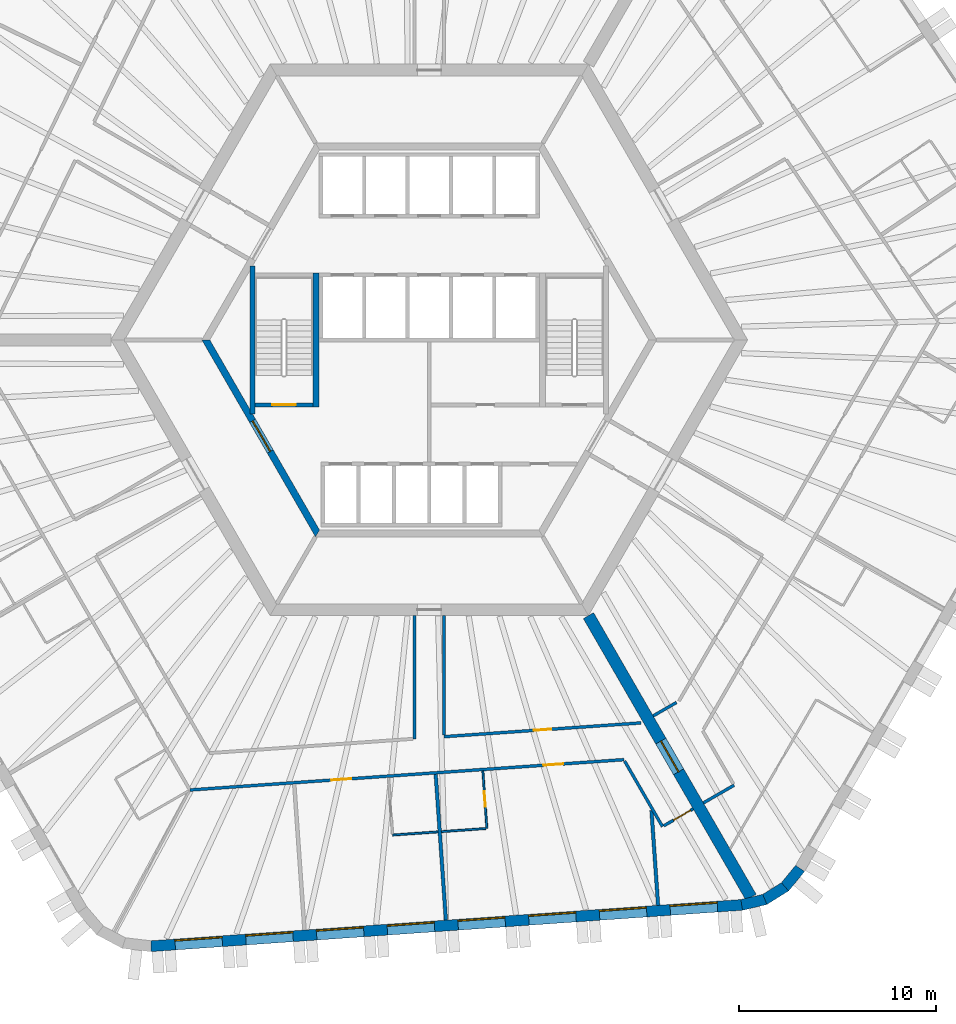
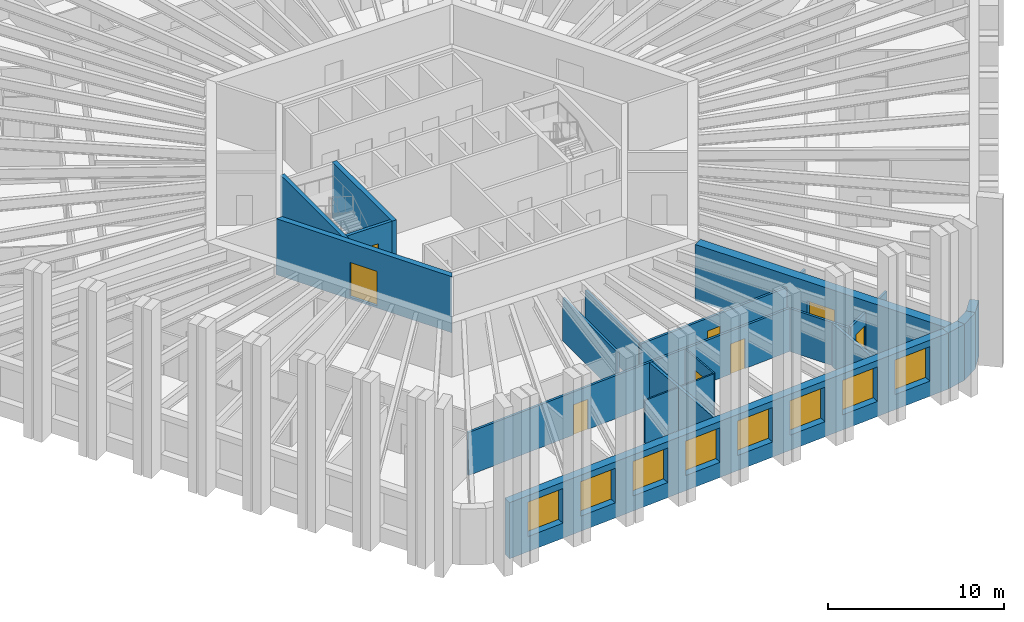
# One storey, part 4 of 13: 22 walls, 8 doors, 8 windows, 16 openings.
"""IFC4 building model written with IfcOpenShell, lengths in metres."""

from ifc_helpers import new_model, si_unit, direction, frame, frame_2d, origin, place, context, subcontext, project, spatial, polyline, rectangle, outline, extrude, material, layer, layer_set, type_object, element, fill, save


model = new_model("IFC4")

# Units and contexts
model_context = context("Model", 3, precision=1e-05, world=origin(), true_north=direction((0.0, 1.0)))
body_context = subcontext(model_context, "Body", "Model", "MODEL_VIEW")
ifc_project = project(units=[si_unit("LENGTHUNIT", "METRE"), si_unit("AREAUNIT", "SQUARE_METRE"), si_unit("VOLUMEUNIT", "CUBIC_METRE"), si_unit("PLANEANGLEUNIT", "RADIAN"), si_unit("MASSUNIT", "GRAM", prefix="KILO")], contexts=[model_context])

# Site, building, storey
site_placement = place(None, origin())
site = spatial("IfcSite", under=ifc_project, at=site_placement, CompositionType="ELEMENT")
building_placement = place(site_placement, origin())
building = spatial("IfcBuilding", under=site, at=building_placement, Name="Tarnside Tower", CompositionType="ELEMENT")
storey_placement = place(building_placement, frame((0.0, 0.0, 68.699951171875)))
storey = spatial("IfcBuildingStorey", under=building, at=storey_placement, Name="L14", CompositionType="ELEMENT", Elevation=68.699951171875)

# Wall
ifc_material_1 = material(Name="Gypsum board partition on steel studs", Category="steel")
ifc_layer_1 = layer(ifc_material_1, 0.10009765625)
ifc_layer_set_1 = layer_set([ifc_layer_1], Name="Bathroom wall 100")
wall_type_1 = type_object("IfcWallType", Name="Bathroom wall 100", PredefinedType="PARTITIONING", material=ifc_layer_set_1)
wall_1_placement = place(storey_placement, frame((0.4423828125, -24.97998046875, 0.0), z_axis=(0.0, 0.0, 1.0), x_axis=(-0.997563824095, -0.069759707979, 0.0)))
element("IfcWall", 1, at=wall_1_placement, inside=storey, type_object=wall_type_1, Name="Bathroom wall 04120", PredefinedType="PARTITIONING", context=body_context, shape_type="SweptSolid", body=[
    extrude(rectangle(XDim=2.309814453125, YDim=0.10009765625, at=frame_2d((1.15478515625, 0.0))), origin(), (0.0, 0.0, 1.0), 2.98779296875),
])

# Wall, opening, door
wall_2_placement = place(storey_placement, frame((2.722412109375, -21.888427734375, 0.0), z_axis=(0.0, 0.0, 1.0), x_axis=(0.069775971057, -0.997562686683, 0.0)))
wall_2 = element("IfcWall", 2, at=wall_2_placement, inside=storey, type_object=wall_type_1, Name="Bathroom wall 04124", PredefinedType="PARTITIONING", context=body_context, shape_type="SweptSolid", body=[
    extrude(rectangle(XDim=2.925048828125, YDim=0.10009765625, at=frame_2d((1.46240234375, 0.0))), origin(), (0.0, 0.0, 1.0), 2.98779296875),
])
opening_1_placement = place(wall_2_placement, frame((1.02490234375, 0.0, 0.0)))
opening_1 = element("IfcOpeningElement", 3, at=opening_1_placement, cuts=wall_2, Name="Opening D-B1", PredefinedType="OPENING", context=body_context, shape_type="SweptSolid", body=[
    extrude(rectangle(XDim=0.800048828125, YDim=2.10009765625, at=frame_2d((0.39990234375, 1.050048828125))), frame((0.0, 0.06005859375, 0.0), z_axis=(0.0, -1.0, 0.0), x_axis=(1.0, 0.0, 0.0)), (0.0, 0.0, 1.0), 0.1201171875),
])
ifc_material_2 = material(Name="Timber door leaf", Category="wood")
door_type_1 = type_object("IfcDoorType", Name="Bathroom door 800", OperationType="NOTDEFINED", PredefinedType="DOOR", material=ifc_material_2)
door_1_placement = place(opening_1_placement, origin())
door_1 = element("IfcDoor", 4, at=door_1_placement, inside=storey, type_object=door_type_1, Name="Bathroom door 04026", OperationType="SINGLE_SWING_RIGHT", OverallHeight=2.10009765625, OverallWidth=0.800048828125, PredefinedType="DOOR", context=body_context, shape_type="SweptSolid", body=[
    extrude(rectangle(XDim=0.800048828125, YDim=2.10009765625, at=frame_2d((0.39990234375, 1.050048828125))), frame((0.0, 0.02490234375, 0.0), z_axis=(0.0, -1.0, 0.0), x_axis=(1.0, 0.0, 0.0)), (0.0, 0.0, 1.0), 0.050048828125),
])
fill(opening_1, door_1)

# Wall
wall_3_placement = place(storey_placement, frame((2.87646484375, -24.809814453125, 0.0), z_axis=(0.0, 0.0, 1.0), x_axis=(-0.997561825928, -0.069788275888, 0.0)))
element("IfcWall", 5, at=wall_3_placement, inside=storey, type_object=wall_type_1, Name="Bathroom wall 04125", PredefinedType="PARTITIONING", context=body_context, shape_type="SweptSolid", body=[
    extrude(rectangle(XDim=2.260009765625, YDim=0.10009765625, at=frame_2d((1.1298828125, 0.0))), origin(), (0.0, 0.0, 1.0), 2.98779296875),
])

# Wall, opening, door
ifc_material_3 = material(Name="Concrete C50/60", Category="concrete")
ifc_layer_2 = layer(ifc_material_3, 0.35009765625)
ifc_layer_set_2 = layer_set([ifc_layer_2], Name="Core block wall 350 C50/60")
wall_type_2 = type_object("IfcWallType", Name="Core block wall 350 C50/60", PredefinedType="SHEAR", material=ifc_layer_set_2)
wall_4_placement = place(storey_placement, frame((-11.344970703125, 0.0, -0.14990234375), z_axis=(0.0, 0.0, 1.0), x_axis=(0.499995046907, -0.866028263435, 0.0)))
wall_4 = element("IfcWall", 6, at=wall_4_placement, inside=storey, type_object=wall_type_2, Name="L14 core block wall face 3", PredefinedType="SHEAR", context=body_context, shape_type="SweptSolid", body=[
    extrude(outline(polyline([(-0.10107421875, -0.175048828125), (11.44580078125, -0.175048828125), (11.24365234375, 0.175048828125), (0.10107421875, 0.175048828125), (-0.10107421875, -0.175048828125)])), origin(), (0.0, 0.0, 1.0), 3.89990234375),
])
opening_2_placement = place(wall_4_placement, frame((4.74365234375, 0.0, 0.14990234375)))
opening_2 = element("IfcOpeningElement", 7, at=opening_2_placement, cuts=wall_4, Name="Opening CD-FFL", PredefinedType="OPENING", context=body_context, shape_type="SweptSolid", body=[
    extrude(rectangle(XDim=1.800048828125, YDim=2.39990234375, at=frame_2d((0.89990234375, 1.199951171875))), frame((0.0, 0.18505859375, 0.0), z_axis=(0.0, -1.0, 0.0), x_axis=(1.0, 0.0, 0.0)), (0.0, 0.0, 1.0), 0.3701171875),
])
ifc_material_4 = material(Name="Steel fire door", Category="steel")
door_type_2 = type_object("IfcDoorType", Name="Firefighting lobby double door FD60S 1800x2400", OperationType="NOTDEFINED", PredefinedType="DOOR", material=ifc_material_4)
door_2_placement = place(opening_2_placement, origin())
door_2 = element("IfcDoor", 8, at=door_2_placement, inside=storey, type_object=door_type_2, Name="L14 lobby block door P3", OperationType="DOUBLE_DOOR_SINGLE_SWING", OverallHeight=2.39990234375, OverallWidth=1.800048828125, PredefinedType="DOOR", context=body_context, shape_type="SweptSolid", body=[
    extrude(rectangle(XDim=1.800048828125, YDim=2.39990234375, at=frame_2d((0.89990234375, 1.199951171875))), frame((0.0, 0.02490234375, 0.0), z_axis=(0.0, -1.0, 0.0), x_axis=(1.0, 0.0, 0.0)), (0.0, 0.0, 1.0), 0.050048828125),
])
fill(opening_2, door_2)

ifc_material_5 = material(Name="Concrete C80/95", Category="concrete")
ifc_layer_3 = layer(ifc_material_5, 0.60009765625)
ifc_layer_set_3 = layer_set([ifc_layer_3], Name="Core wall Z1 600 C80/95")
wall_type_3 = type_object("IfcWallType", Name="Core wall Z1 600 C80/95", PredefinedType="SHEAR", material=ifc_layer_set_3)
wall_5_placement = place(storey_placement, frame((8.0830078125, -14.0, -0.14990234375), z_axis=(0.0, 0.0, 1.0), x_axis=(0.499997680643, -0.866026742862, 0.0)))
wall_5 = element("IfcWall", 9, at=wall_5_placement, inside=storey, type_object=wall_type_3, Name="L14 spine wall 3", PredefinedType="SHEAR", context=body_context, shape_type="SweptSolid", body=[
    extrude(rectangle(XDim=16.5087890625, YDim=0.60009765625, at=frame_2d((8.25439453125, 0.0))), origin(), (0.0, 0.0, 1.0), 3.89990234375),
])
opening_3_placement = place(wall_5_placement, frame((7.3544921875, 0.0, 0.14990234375)))
opening_3 = element("IfcOpeningElement", 10, at=opening_3_placement, cuts=wall_5, Name="Opening CD-SPN", PredefinedType="OPENING", context=body_context, shape_type="SweptSolid", body=[
    extrude(rectangle(XDim=1.800048828125, YDim=2.39990234375, at=frame_2d((0.89990234375, 1.199951171875))), frame((0.0, 0.31005859375, 0.0), z_axis=(0.0, -1.0, 0.0), x_axis=(1.0, 0.0, 0.0)), (0.0, 0.0, 1.0), 0.6201171875),
])
door_type_3 = type_object("IfcDoorType", Name="Spine passage double door FD60 1800x2400", OperationType="NOTDEFINED", PredefinedType="DOOR", material=ifc_material_4)
door_3_placement = place(opening_3_placement, origin())
door_3 = element("IfcDoor", 11, at=door_3_placement, inside=storey, type_object=door_type_3, Name="L14 spine passage door 3", OperationType="DOUBLE_DOOR_SINGLE_SWING", OverallHeight=2.39990234375, OverallWidth=1.800048828125, PredefinedType="DOOR", context=body_context, shape_type="SweptSolid", body=[
    extrude(rectangle(XDim=1.800048828125, YDim=2.39990234375, at=frame_2d((0.89990234375, 1.199951171875))), frame((0.0, 0.02490234375, 0.0), z_axis=(0.0, -1.0, 0.0), x_axis=(1.0, 0.0, 0.0)), (0.0, 0.0, 1.0), 0.050048828125),
])
fill(opening_3, door_3)

# Wall, openings, doors
ifc_layer_4 = layer(ifc_material_1, 0.14990234375)
ifc_layer_set_4 = layer_set([ifc_layer_4], Name="Corridor wall 150 EI 60")
wall_type_4 = type_object("IfcWallType", Name="Corridor wall 150 EI 60", PredefinedType="PARTITIONING", material=ifc_layer_set_4)
wall_6_placement = place(storey_placement, frame((-12.1513671875, -22.853271484375, 0.0), z_axis=(0.0, 0.0, 1.0), x_axis=(0.99756425444, 0.069753553767, 0.0)))
wall_6 = element("IfcWall", 12, at=wall_6_placement, inside=storey, type_object=wall_type_4, Name="Corridor wall 04033", PredefinedType="PARTITIONING", context=body_context, shape_type="SweptSolid", body=[
    extrude(rectangle(XDim=22.085205078125, YDim=0.14990234375, at=frame_2d((11.04248046875, 0.0))), origin(), (0.0, 0.0, 1.0), 2.98779296875),
])
opening_4_placement = place(wall_6_placement, frame((7.204833984375, 0.0, 0.0)))
opening_4 = element("IfcOpeningElement", 13, at=opening_4_placement, cuts=wall_6, Name="Opening D-E1", PredefinedType="OPENING", context=body_context, shape_type="SweptSolid", body=[
    extrude(rectangle(XDim=1.0, YDim=2.10009765625, at=frame_2d((0.5, 1.050048828125))), frame((0.0, 0.0849609375, 0.0), z_axis=(0.0, -1.0, 0.0), x_axis=(1.0, 0.0, 0.0)), (0.0, 0.0, 1.0), 0.169921875),
])
opening_5_placement = place(wall_6_placement, frame((17.994873046875, 0.0, 0.0)))
opening_5 = element("IfcOpeningElement", 14, at=opening_5_placement, cuts=wall_6, Name="Opening D-E1", PredefinedType="OPENING", context=body_context, shape_type="SweptSolid", body=[
    extrude(rectangle(XDim=1.0, YDim=2.10009765625, at=frame_2d((0.5, 1.050048828125))), frame((0.0, 0.0849609375, 0.0), z_axis=(0.0, -1.0, 0.0), x_axis=(1.0, 0.0, 0.0)), (0.0, 0.0, 1.0), 0.169921875),
])
door_type_4 = type_object("IfcDoorType", Name="Unit entrance door 1000 FD30S", OperationType="NOTDEFINED", PredefinedType="DOOR", material=ifc_material_2)
door_4_placement = place(opening_4_placement, origin())
door_4 = element("IfcDoor", 15, at=door_4_placement, inside=storey, type_object=door_type_4, Name="Unit door 04023", OperationType="SINGLE_SWING_LEFT", OverallHeight=2.10009765625, OverallWidth=1.0, PredefinedType="DOOR", context=body_context, shape_type="SweptSolid", body=[
    extrude(rectangle(XDim=1.0, YDim=2.10009765625, at=frame_2d((0.5, 1.050048828125))), frame((0.0, 0.02490234375, 0.0), z_axis=(0.0, -1.0, 0.0), x_axis=(1.0, 0.0, 0.0)), (0.0, 0.0, 1.0), 0.050048828125),
])
fill(opening_4, door_4)
door_5_placement = place(opening_5_placement, origin())
door_5 = element("IfcDoor", 16, at=door_5_placement, inside=storey, type_object=door_type_4, Name="Unit door 04025", OperationType="SINGLE_SWING_LEFT", OverallHeight=2.10009765625, OverallWidth=1.0, PredefinedType="DOOR", context=body_context, shape_type="SweptSolid", body=[
    extrude(rectangle(XDim=1.0, YDim=2.10009765625, at=frame_2d((0.5, 1.050048828125))), frame((0.0, 0.02490234375, 0.0), z_axis=(0.0, -1.0, 0.0), x_axis=(1.0, 0.0, 0.0)), (0.0, 0.0, 1.0), 0.050048828125),
])
fill(opening_5, door_5)

# Wall
wall_7_placement = place(storey_placement, frame((9.921630859375, -21.385009765625, 0.0), z_axis=(0.0, 0.0, 1.0), x_axis=(0.500023335103, -0.866011930837, 0.0)))
element("IfcWall", 17, at=wall_7_placement, inside=storey, type_object=wall_type_4, Name="Corridor wall 04037", PredefinedType="PARTITIONING", context=body_context, shape_type="SweptSolid", body=[
    extrude(rectangle(XDim=3.839599609375, YDim=0.14990234375, at=frame_2d((1.919921875, 0.0))), origin(), (0.0, 0.0, 1.0), 2.98779296875),
])

# Wall, opening, door
wall_8_placement = place(storey_placement, frame((11.906494140625, -24.672607421875, 0.0), z_axis=(0.0, 0.0, 1.0), x_axis=(0.866013532718, 0.500020560727, 0.0)))
wall_8 = element("IfcWall", 18, at=wall_8_placement, inside=storey, type_object=wall_type_4, Name="Corridor wall 04040", PredefinedType="PARTITIONING", context=body_context, shape_type="SweptSolid", body=[
    extrude(rectangle(XDim=1.72509765625, YDim=0.14990234375, at=frame_2d((0.862548828125, 0.0))), origin(), (0.0, 0.0, 1.0), 2.98779296875),
])
opening_6_placement = place(wall_8_placement, frame((0.574951171875, 0.0, 0.0)))
opening_6 = element("IfcOpeningElement", 19, at=opening_6_placement, cuts=wall_8, Name="Opening D-E1", PredefinedType="OPENING", context=body_context, shape_type="SweptSolid", body=[
    extrude(rectangle(XDim=1.0, YDim=2.10009765625, at=frame_2d((0.5, 1.050048828125))), frame((0.0, 0.0849609375, 0.0), z_axis=(0.0, -1.0, 0.0), x_axis=(1.0, 0.0, 0.0)), (0.0, 0.0, 1.0), 0.169921875),
])
door_6_placement = place(opening_6_placement, origin())
door_6 = element("IfcDoor", 20, at=door_6_placement, inside=storey, type_object=door_type_4, Name="Unit door 04027", OperationType="SINGLE_SWING_LEFT", OverallHeight=2.10009765625, OverallWidth=1.0, PredefinedType="DOOR", context=body_context, shape_type="SweptSolid", body=[
    extrude(rectangle(XDim=1.0, YDim=2.10009765625, at=frame_2d((0.5, 1.050048828125))), frame((0.0, 0.02490234375, 0.0), z_axis=(0.0, -1.0, 0.0), x_axis=(1.0, 0.0, 0.0)), (0.0, 0.0, 1.0), 0.050048828125),
])
fill(opening_6, door_6)

# Wall
wall_9_placement = place(storey_placement, frame((-0.75, -14.0, 0.0), z_axis=(0.0, 0.0, 1.0), x_axis=(0.0, -1.0, 0.0)))
element("IfcWall", 21, at=wall_9_placement, inside=storey, type_object=wall_type_4, Name="Corridor wall 04044", PredefinedType="PARTITIONING", context=body_context, shape_type="SweptSolid", body=[
    extrude(rectangle(XDim=6.251708984375, YDim=0.14990234375, at=frame_2d((3.1259765625, 0.0))), origin(), (0.0, 0.0, 1.0), 2.98779296875),
])

# Wall, opening, door
wall_10_placement = place(storey_placement, frame((10.75439453125, -19.447265625, 0.0), z_axis=(0.0, 0.0, 1.0), x_axis=(-0.997564830966, -0.069745308232, 0.0)))
wall_10 = element("IfcWall", 22, at=wall_10_placement, inside=storey, type_object=wall_type_4, Name="Corridor wall 04048", PredefinedType="PARTITIONING", context=body_context, shape_type="SweptSolid", body=[
    extrude(rectangle(XDim=10.02880859375, YDim=0.14990234375, at=frame_2d((5.014404296875, 0.0))), origin(), (0.0, 0.0, 1.0), 2.98779296875),
])
opening_7_placement = place(wall_10_placement, frame((4.564453125, 0.0, 0.0)))
opening_7 = element("IfcOpeningElement", 23, at=opening_7_placement, cuts=wall_10, Name="Opening D-S1", PredefinedType="OPENING", context=body_context, shape_type="SweptSolid", body=[
    extrude(rectangle(XDim=0.89990234375, YDim=2.10009765625, at=frame_2d((0.449951171875, 1.050048828125))), frame((0.0, 0.0849609375, 0.0), z_axis=(0.0, -1.0, 0.0), x_axis=(1.0, 0.0, 0.0)), (0.0, 0.0, 1.0), 0.169921875),
])
door_type_5 = type_object("IfcDoorType", Name="Service room door 900 FD30S", OperationType="NOTDEFINED", PredefinedType="DOOR", material=ifc_material_2)
door_7_placement = place(opening_7_placement, origin())
door_7 = element("IfcDoor", 24, at=door_7_placement, inside=storey, type_object=door_type_5, Name="Service door 04046", OperationType="SINGLE_SWING_LEFT", OverallHeight=2.10009765625, OverallWidth=0.89990234375, PredefinedType="DOOR", context=body_context, shape_type="SweptSolid", body=[
    extrude(rectangle(XDim=0.89990234375, YDim=2.10009765625, at=frame_2d((0.449951171875, 1.050048828125))), frame((0.0, 0.02490234375, 0.0), z_axis=(0.0, -1.0, 0.0), x_axis=(1.0, 0.0, 0.0)), (0.0, 0.0, 1.0), 0.050048828125),
])
fill(opening_7, door_7)

# Walls
wall_11_placement = place(storey_placement, frame((0.75, -20.071533203125, 0.0), z_axis=(0.0, 0.0, 1.0), x_axis=(0.0, 1.0, 0.0)))
element("IfcWall", 25, at=wall_11_placement, inside=storey, type_object=wall_type_4, Name="Corridor wall 04049", PredefinedType="PARTITIONING", context=body_context, shape_type="SweptSolid", body=[
    extrude(rectangle(XDim=6.071533203125, YDim=0.14990234375, at=frame_2d((3.03564453125, 0.0))), origin(), (0.0, 0.0, 1.0), 2.98779296875),
])
wall_12_placement = place(storey_placement, frame((13.919921875, -23.510009765625, 0.0), z_axis=(0.0, 0.0, 1.0), x_axis=(0.866047807691, 0.499961193289, 0.0)))
element("IfcWall", 26, at=wall_12_placement, inside=storey, type_object=wall_type_4, Name="Corridor wall 04050", PredefinedType="PARTITIONING", context=body_context, shape_type="SweptSolid", body=[
    extrude(rectangle(XDim=1.800048828125, YDim=0.14990234375, at=frame_2d((0.89990234375, 0.0))), origin(), (0.0, 0.0, 1.0), 2.98779296875),
])
wall_13_placement = place(storey_placement, frame((12.552001953125, -18.409423828125, 0.0), z_axis=(0.0, 0.0, 1.0), x_axis=(-0.866078408764, -0.499908181442, 0.0)))
element("IfcWall", 27, at=wall_13_placement, inside=storey, type_object=wall_type_4, Name="Corridor wall 04073", PredefinedType="PARTITIONING", context=body_context, shape_type="SweptSolid", body=[
    extrude(rectangle(XDim=1.365478515625, YDim=0.14990234375, at=frame_2d((0.6826171875, 0.0))), origin(), (0.0, 0.0, 1.0), 2.98779296875),
])
ifc_layer_5 = layer(ifc_material_1, 0.179931640625)
ifc_layer_set_5 = layer_set([ifc_layer_5], Name="Demising wall 180 EI 60")
wall_type_5 = type_object("IfcWallType", Name="Demising wall 180 EI 60", PredefinedType="PARTITIONING", material=ifc_layer_set_5)
wall_14_placement = place(storey_placement, frame((0.84619140625, -29.462646484375, 0.0), z_axis=(0.0, 0.0, 1.0), x_axis=(-0.069774810252, 0.997562767877, 0.0)))
element("IfcWall", 28, at=wall_14_placement, inside=storey, type_object=wall_type_5, Name="Demising wall 04122", PredefinedType="PARTITIONING", context=body_context, shape_type="SweptSolid", body=[
    extrude(rectangle(XDim=7.4248046875, YDim=0.179931640625, at=frame_2d((3.71240234375, 0.0))), origin(), (0.0, 0.0, 1.0), 2.98779296875),
])
wall_15_placement = place(storey_placement, frame((11.619873046875, -28.70947265625, 0.0), z_axis=(0.0, 0.0, 1.0), x_axis=(-0.069777301394, 0.99756259363, 0.0)))
element("IfcWall", 29, at=wall_15_placement, inside=storey, type_object=wall_type_5, Name="Demising wall 04126", PredefinedType="PARTITIONING", context=body_context, shape_type="SweptSolid", body=[
    extrude(rectangle(XDim=4.828369140625, YDim=0.179931640625, at=frame_2d((2.4140625, 0.0))), origin(), (0.0, 0.0, 1.0), 2.98779296875),
])

# Wall, opening, door
ifc_material_6 = material(Name="Concrete C40/50", Category="concrete")
ifc_layer_6 = layer(ifc_material_6, 0.199951171875)
ifc_layer_set_6 = layer_set([ifc_layer_6], Name="Lift shaft wall 200 C40/50")
wall_type_6 = type_object("IfcWallType", Name="Lift shaft wall 200 C40/50", PredefinedType="SHEAR", material=ifc_layer_set_6)
wall_16_placement = place(storey_placement, frame((-8.85009765625, -3.300048828125, -0.25), z_axis=(0.0, 0.0, 1.0), x_axis=(1.0, 0.0, 0.0)))
wall_16 = element("IfcWall", 30, at=wall_16_placement, inside=storey, type_object=wall_type_6, Name="L14 stair 2 enclosure cap wall s", PredefinedType="SHEAR", context=body_context, shape_type="SweptSolid", body=[
    extrude(rectangle(XDim=2.9501953125, YDim=0.199951171875, at=frame_2d((1.47509765625, 0.0))), origin(), (0.0, 0.0, 1.0), 3.900146484375),
])
opening_8_placement = place(wall_16_placement, frame((0.875, 0.0, 0.25)))
opening_8 = element("IfcOpeningElement", 31, at=opening_8_placement, cuts=wall_16, Name="Opening CD-STR", PredefinedType="OPENING", context=body_context, shape_type="SweptSolid", body=[
    extrude(rectangle(XDim=1.199951171875, YDim=2.39990234375, at=frame_2d((0.60009765625, 1.199951171875))), frame((0.0, 0.10986328125, 0.0), z_axis=(0.0, -1.0, 0.0), x_axis=(1.0, 0.0, 0.0)), (0.0, 0.0, 1.0), 0.219970703125),
])
door_type_6 = type_object("IfcDoorType", Name="Stair door FD60S 1200x2400", OperationType="NOTDEFINED", PredefinedType="DOOR", material=ifc_material_4)
door_8_placement = place(opening_8_placement, origin())
door_8 = element("IfcDoor", 32, at=door_8_placement, inside=storey, type_object=door_type_6, Name="L14 stair 2 door", OperationType="SINGLE_SWING_LEFT", OverallHeight=2.39990234375, OverallWidth=1.199951171875, PredefinedType="DOOR", context=body_context, shape_type="SweptSolid", body=[
    extrude(rectangle(XDim=1.199951171875, YDim=2.39990234375, at=frame_2d((0.60009765625, 1.199951171875))), frame((0.0, 0.02490234375, 0.0), z_axis=(0.0, -1.0, 0.0), x_axis=(1.0, 0.0, 0.0)), (0.0, 0.0, 1.0), 0.050048828125),
])
fill(opening_8, door_8)

# Walls
ifc_layer_7 = layer(ifc_material_6, 0.25)
ifc_layer_set_7 = layer_set([ifc_layer_7], Name="Stair enclosure wall 250 C40/50")
wall_type_7 = type_object("IfcWallType", Name="Stair enclosure wall 250 C40/50", PredefinedType="SHEAR", material=ifc_layer_set_7)
wall_17_placement = place(storey_placement, frame((-8.97509765625, -3.7548828125, -0.25), z_axis=(0.0, 0.0, 1.0), x_axis=(0.0, 1.0, 0.0)))
element("IfcWall", 33, at=wall_17_placement, inside=storey, type_object=wall_type_7, Name="L14 stair 2 enclosure wall outer", PredefinedType="SHEAR", context=body_context, shape_type="SweptSolid", body=[
    extrude(rectangle(XDim=7.509765625, YDim=0.25, at=frame_2d((3.7548828125, 0.0))), origin(), (0.0, 0.0, 1.0), 3.900146484375),
])
ifc_layer_8 = layer(ifc_material_6, 0.300048828125)
ifc_layer_set_8 = layer_set([ifc_layer_8], Name="Stair enclosure wall 300 C40/50")
wall_type_8 = type_object("IfcWallType", Name="Stair enclosure wall 300 C40/50", PredefinedType="SHEAR", material=ifc_layer_set_8)
wall_18_placement = place(storey_placement, frame((-5.75, -3.39990234375, -0.25), z_axis=(0.0, 0.0, 1.0), x_axis=(0.0, 1.0, 0.0)))
element("IfcWall", 34, at=wall_18_placement, inside=storey, type_object=wall_type_8, Name="L14 stair 2 enclosure wall inner", PredefinedType="SHEAR", context=body_context, shape_type="SweptSolid", body=[
    extrude(rectangle(XDim=6.7998046875, YDim=0.300048828125, at=frame_2d((3.39990234375, 0.0))), origin(), (0.0, 0.0, 1.0), 3.900146484375),
])

# Wall, openings, windows
ifc_material_7 = material(Name="Facing brick", Category="masonry")
ifc_layer_9 = layer(ifc_material_7, 0.10205078125)
ifc_material_8 = material(Name="Concrete C60/75 precast", Category="concrete")
ifc_layer_10 = layer(ifc_material_8, 0.347900390625)
ifc_material_9 = material(Name="Mineral wool insulation")
ifc_layer_11 = layer(ifc_material_9, 0.10009765625)
ifc_layer_set_9 = layer_set([ifc_layer_9, ifc_layer_10, ifc_layer_11], Name="Tube wall 550 brick faced")
wall_type_9 = type_object("IfcWallType", Name="Tube wall 550 brick faced", PredefinedType="SOLIDWALL", material=ifc_layer_set_9)
wall_19_placement = place(storey_placement, frame((-14.133544921875, -30.785888671875, -0.14990234375), z_axis=(0.0, 0.0, 1.0), x_axis=(0.997564037441, 0.069756657061, 0.0)))
wall_19 = element("IfcWall", 35, at=wall_19_placement, inside=storey, type_object=wall_type_9, Name="Tube wall L14 F4 flush 12", PredefinedType="SOLIDWALL", context=body_context, shape_type="SweptSolid", body=[
    extrude(outline(polyline([(-0.025634765625, -0.27490234375), (30.093505859375, -0.27490234375), (30.048583984375, 0.27490234375), (0.025634765625, 0.27490234375), (-0.025634765625, -0.27490234375)])), origin(), (0.0, 0.0, 1.0), 3.89990234375),
])
opening_9_placement = place(wall_19_placement, frame((1.235595703125, 0.0, 1.050048828125)))
opening_9 = element("IfcOpeningElement", 36, at=opening_9_placement, cuts=wall_19, Name="Opening WH", PredefinedType="OPENING", context=body_context, shape_type="SweptSolid", body=[
    extrude(rectangle(XDim=2.39990234375, YDim=2.39990234375, at=frame_2d((1.199951171875, 1.199951171875))), frame((0.0, 0.28515625, 0.0), z_axis=(0.0, -1.0, 0.0), x_axis=(1.0, 0.0, 0.0)), (0.0, 0.0, 1.0), 0.570068359375),
])
opening_10_placement = place(wall_19_placement, frame((4.83544921875, 0.0, 1.050048828125)))
opening_10 = element("IfcOpeningElement", 37, at=opening_10_placement, cuts=wall_19, Name="Opening WH", PredefinedType="OPENING", context=body_context, shape_type="SweptSolid", body=[
    extrude(rectangle(XDim=2.39990234375, YDim=2.39990234375, at=frame_2d((1.199951171875, 1.199951171875))), frame((0.0, 0.28515625, 0.0), z_axis=(0.0, -1.0, 0.0), x_axis=(1.0, 0.0, 0.0)), (0.0, 0.0, 1.0), 0.570068359375),
])
opening_11_placement = place(wall_19_placement, frame((8.435546875, 0.0, 1.050048828125)))
opening_11 = element("IfcOpeningElement", 38, at=opening_11_placement, cuts=wall_19, Name="Opening WH", PredefinedType="OPENING", context=body_context, shape_type="SweptSolid", body=[
    extrude(rectangle(XDim=2.39990234375, YDim=2.39990234375, at=frame_2d((1.199951171875, 1.199951171875))), frame((0.0, 0.28515625, 0.0), z_axis=(0.0, -1.0, 0.0), x_axis=(1.0, 0.0, 0.0)), (0.0, 0.0, 1.0), 0.570068359375),
])
opening_12_placement = place(wall_19_placement, frame((12.035400390625, 0.0, 1.050048828125)))
opening_12 = element("IfcOpeningElement", 39, at=opening_12_placement, cuts=wall_19, Name="Opening WH", PredefinedType="OPENING", context=body_context, shape_type="SweptSolid", body=[
    extrude(rectangle(XDim=2.39990234375, YDim=2.39990234375, at=frame_2d((1.199951171875, 1.199951171875))), frame((0.0, 0.28515625, 0.0), z_axis=(0.0, -1.0, 0.0), x_axis=(1.0, 0.0, 0.0)), (0.0, 0.0, 1.0), 0.570068359375),
])
opening_13_placement = place(wall_19_placement, frame((15.635498046875, 0.0, 1.050048828125)))
opening_13 = element("IfcOpeningElement", 40, at=opening_13_placement, cuts=wall_19, Name="Opening WH", PredefinedType="OPENING", context=body_context, shape_type="SweptSolid", body=[
    extrude(rectangle(XDim=2.39990234375, YDim=2.39990234375, at=frame_2d((1.199951171875, 1.199951171875))), frame((0.0, 0.28515625, 0.0), z_axis=(0.0, -1.0, 0.0), x_axis=(1.0, 0.0, 0.0)), (0.0, 0.0, 1.0), 0.570068359375),
])
opening_14_placement = place(wall_19_placement, frame((19.235595703125, 0.0, 1.050048828125)))
opening_14 = element("IfcOpeningElement", 41, at=opening_14_placement, cuts=wall_19, Name="Opening WH", PredefinedType="OPENING", context=body_context, shape_type="SweptSolid", body=[
    extrude(rectangle(XDim=2.39990234375, YDim=2.39990234375, at=frame_2d((1.199951171875, 1.199951171875))), frame((0.0, 0.28515625, 0.0), z_axis=(0.0, -1.0, 0.0), x_axis=(1.0, 0.0, 0.0)), (0.0, 0.0, 1.0), 0.570068359375),
])
opening_15_placement = place(wall_19_placement, frame((22.83544921875, 0.0, 1.050048828125)))
opening_15 = element("IfcOpeningElement", 42, at=opening_15_placement, cuts=wall_19, Name="Opening WH", PredefinedType="OPENING", context=body_context, shape_type="SweptSolid", body=[
    extrude(rectangle(XDim=2.39990234375, YDim=2.39990234375, at=frame_2d((1.199951171875, 1.199951171875))), frame((0.0, 0.28515625, 0.0), z_axis=(0.0, -1.0, 0.0), x_axis=(1.0, 0.0, 0.0)), (0.0, 0.0, 1.0), 0.570068359375),
])
opening_16_placement = place(wall_19_placement, frame((26.435546875, 0.0, 1.050048828125)))
opening_16 = element("IfcOpeningElement", 43, at=opening_16_placement, cuts=wall_19, Name="Opening WH", PredefinedType="OPENING", context=body_context, shape_type="SweptSolid", body=[
    extrude(rectangle(XDim=2.39990234375, YDim=2.39990234375, at=frame_2d((1.199951171875, 1.199951171875))), frame((0.0, 0.28515625, 0.0), z_axis=(0.0, -1.0, 0.0), x_axis=(1.0, 0.0, 0.0)), (0.0, 0.0, 1.0), 0.570068359375),
])
ifc_material_10 = material(Name="Aluminium-framed double glazing", Category="aluminium")
window_type = type_object("IfcWindowType", Name="Hotel window 2400 x 2400", PartitioningType="DOUBLE_PANEL_VERTICAL", PredefinedType="WINDOW", material=ifc_material_10)
window_1_placement = place(opening_9_placement, frame((0.0, 0.205078125, 0.0)))
window_1 = element("IfcWindow", 44, at=window_1_placement, inside=storey, type_object=window_type, Name="E.WN.L14.F4.00", OverallHeight=2.39990234375, OverallWidth=2.39990234375, PartitioningType="DOUBLE_PANEL_VERTICAL", PredefinedType="WINDOW", context=body_context, shape_type="SweptSolid", body=[
    extrude(rectangle(XDim=2.39990234375, YDim=2.39990234375, at=frame_2d((1.199951171875, 1.199951171875))), frame((0.0, 0.030029296875, 0.0), z_axis=(0.0, -1.0, 0.0), x_axis=(1.0, 0.0, 0.0)), (0.0, 0.0, 1.0), 0.06005859375),
])
fill(opening_9, window_1)
window_2_placement = place(opening_10_placement, frame((0.0, 0.205078125, 0.0)))
window_2 = element("IfcWindow", 45, at=window_2_placement, inside=storey, type_object=window_type, Name="E.WN.L14.F4.01", OverallHeight=2.39990234375, OverallWidth=2.39990234375, PartitioningType="DOUBLE_PANEL_VERTICAL", PredefinedType="WINDOW", context=body_context, shape_type="SweptSolid", body=[
    extrude(rectangle(XDim=2.39990234375, YDim=2.39990234375, at=frame_2d((1.199951171875, 1.199951171875))), frame((0.0, 0.030029296875, 0.0), z_axis=(0.0, -1.0, 0.0), x_axis=(1.0, 0.0, 0.0)), (0.0, 0.0, 1.0), 0.06005859375),
])
fill(opening_10, window_2)
window_3_placement = place(opening_11_placement, frame((0.0, 0.205078125, 0.0)))
window_3 = element("IfcWindow", 46, at=window_3_placement, inside=storey, type_object=window_type, Name="E.WN.L14.F4.02", OverallHeight=2.39990234375, OverallWidth=2.39990234375, PartitioningType="DOUBLE_PANEL_VERTICAL", PredefinedType="WINDOW", context=body_context, shape_type="SweptSolid", body=[
    extrude(rectangle(XDim=2.39990234375, YDim=2.39990234375, at=frame_2d((1.199951171875, 1.199951171875))), frame((0.0, 0.030029296875, 0.0), z_axis=(0.0, -1.0, 0.0), x_axis=(1.0, 0.0, 0.0)), (0.0, 0.0, 1.0), 0.06005859375),
])
fill(opening_11, window_3)
window_4_placement = place(opening_12_placement, frame((0.0, 0.205078125, 0.0)))
window_4 = element("IfcWindow", 47, at=window_4_placement, inside=storey, type_object=window_type, Name="E.WN.L14.F4.03", OverallHeight=2.39990234375, OverallWidth=2.39990234375, PartitioningType="DOUBLE_PANEL_VERTICAL", PredefinedType="WINDOW", context=body_context, shape_type="SweptSolid", body=[
    extrude(rectangle(XDim=2.39990234375, YDim=2.39990234375, at=frame_2d((1.199951171875, 1.199951171875))), frame((0.0, 0.030029296875, 0.0), z_axis=(0.0, -1.0, 0.0), x_axis=(1.0, 0.0, 0.0)), (0.0, 0.0, 1.0), 0.06005859375),
])
fill(opening_12, window_4)
window_5_placement = place(opening_13_placement, frame((0.0, 0.205078125, 0.0)))
window_5 = element("IfcWindow", 48, at=window_5_placement, inside=storey, type_object=window_type, Name="E.WN.L14.F4.04", OverallHeight=2.39990234375, OverallWidth=2.39990234375, PartitioningType="DOUBLE_PANEL_VERTICAL", PredefinedType="WINDOW", context=body_context, shape_type="SweptSolid", body=[
    extrude(rectangle(XDim=2.39990234375, YDim=2.39990234375, at=frame_2d((1.199951171875, 1.199951171875))), frame((0.0, 0.030029296875, 0.0), z_axis=(0.0, -1.0, 0.0), x_axis=(1.0, 0.0, 0.0)), (0.0, 0.0, 1.0), 0.06005859375),
])
fill(opening_13, window_5)
window_6_placement = place(opening_14_placement, frame((0.0, 0.205078125, 0.0)))
window_6 = element("IfcWindow", 49, at=window_6_placement, inside=storey, type_object=window_type, Name="E.WN.L14.F4.05", OverallHeight=2.39990234375, OverallWidth=2.39990234375, PartitioningType="DOUBLE_PANEL_VERTICAL", PredefinedType="WINDOW", context=body_context, shape_type="SweptSolid", body=[
    extrude(rectangle(XDim=2.39990234375, YDim=2.39990234375, at=frame_2d((1.199951171875, 1.199951171875))), frame((0.0, 0.030029296875, 0.0), z_axis=(0.0, -1.0, 0.0), x_axis=(1.0, 0.0, 0.0)), (0.0, 0.0, 1.0), 0.06005859375),
])
fill(opening_14, window_6)
window_7_placement = place(opening_15_placement, frame((0.0, 0.205078125, 0.0)))
window_7 = element("IfcWindow", 50, at=window_7_placement, inside=storey, type_object=window_type, Name="E.WN.L14.F4.06", OverallHeight=2.39990234375, OverallWidth=2.39990234375, PartitioningType="DOUBLE_PANEL_VERTICAL", PredefinedType="WINDOW", context=body_context, shape_type="SweptSolid", body=[
    extrude(rectangle(XDim=2.39990234375, YDim=2.39990234375, at=frame_2d((1.199951171875, 1.199951171875))), frame((0.0, 0.030029296875, 0.0), z_axis=(0.0, -1.0, 0.0), x_axis=(1.0, 0.0, 0.0)), (0.0, 0.0, 1.0), 0.06005859375),
])
fill(opening_15, window_7)
window_8_placement = place(opening_16_placement, frame((0.0, 0.205078125, 0.0)))
window_8 = element("IfcWindow", 51, at=window_8_placement, inside=storey, type_object=window_type, Name="E.WN.L14.F4.07", OverallHeight=2.39990234375, OverallWidth=2.39990234375, PartitioningType="DOUBLE_PANEL_VERTICAL", PredefinedType="WINDOW", context=body_context, shape_type="SweptSolid", body=[
    extrude(rectangle(XDim=2.39990234375, YDim=2.39990234375, at=frame_2d((1.199951171875, 1.199951171875))), frame((0.0, 0.030029296875, 0.0), z_axis=(0.0, -1.0, 0.0), x_axis=(1.0, 0.0, 0.0)), (0.0, 0.0, 1.0), 0.06005859375),
])
fill(opening_16, window_8)

# Walls
wall_20_placement = place(storey_placement, frame((15.8642578125, -28.688232421875, -0.14990234375), z_axis=(0.0, 0.0, 1.0), x_axis=(0.973063591128, 0.230536868247, 0.0)))
element("IfcWall", 52, at=wall_20_placement, inside=storey, type_object=wall_type_9, Name="Tube wall L14 F4 chord 13", PredefinedType="SOLIDWALL", context=body_context, shape_type="SweptSolid", body=[
    extrude(outline(polyline([(-0.0224609375, -0.27490234375), (1.25341796875, -0.27490234375), (1.1630859375, 0.27490234375), (0.0224609375, 0.27490234375), (-0.0224609375, -0.27490234375)])), origin(), (0.0, 0.0, 1.0), 3.89990234375),
])
wall_21_placement = place(storey_placement, frame((17.0400390625, -28.40966796875, -0.14990234375), z_axis=(0.0, 0.0, 1.0), x_axis=(0.847952888306, 0.530071598195, 0.0)))
element("IfcWall", 53, at=wall_21_placement, inside=storey, type_object=wall_type_9, Name="Tube wall L14 F4 chord 14", PredefinedType="SOLIDWALL", context=body_context, shape_type="SweptSolid", body=[
    extrude(outline(polyline([(-0.045166015625, -0.27490234375), (1.253173828125, -0.27490234375), (1.162841796875, 0.27490234375), (0.045166015625, 0.27490234375), (-0.045166015625, -0.27490234375)])), origin(), (0.0, 0.0, 1.0), 3.89990234375),
])
wall_22_placement = place(storey_placement, frame((18.064453125, -27.769287109375, -0.14990234375), z_axis=(0.0, 0.0, 1.0), x_axis=(0.633842757806, 0.773461930787, 0.0)))
element("IfcWall", 54, at=wall_22_placement, inside=storey, type_object=wall_type_9, Name="Tube wall L14 F4 chord 15", PredefinedType="SOLIDWALL", context=body_context, shape_type="SweptSolid", body=[
    extrude(outline(polyline([(-0.045166015625, -0.27490234375), (1.230712890625, -0.27490234375), (1.185791015625, 0.27490234375), (0.045166015625, 0.27490234375), (-0.045166015625, -0.27490234375)])), origin(), (0.0, 0.0, 1.0), 3.89990234375),
])

save(model, "model.ifc")
